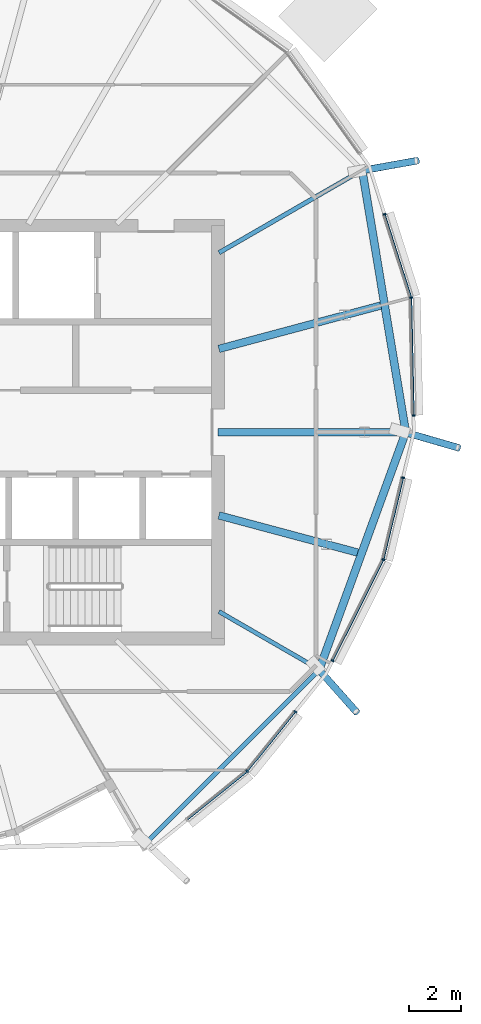
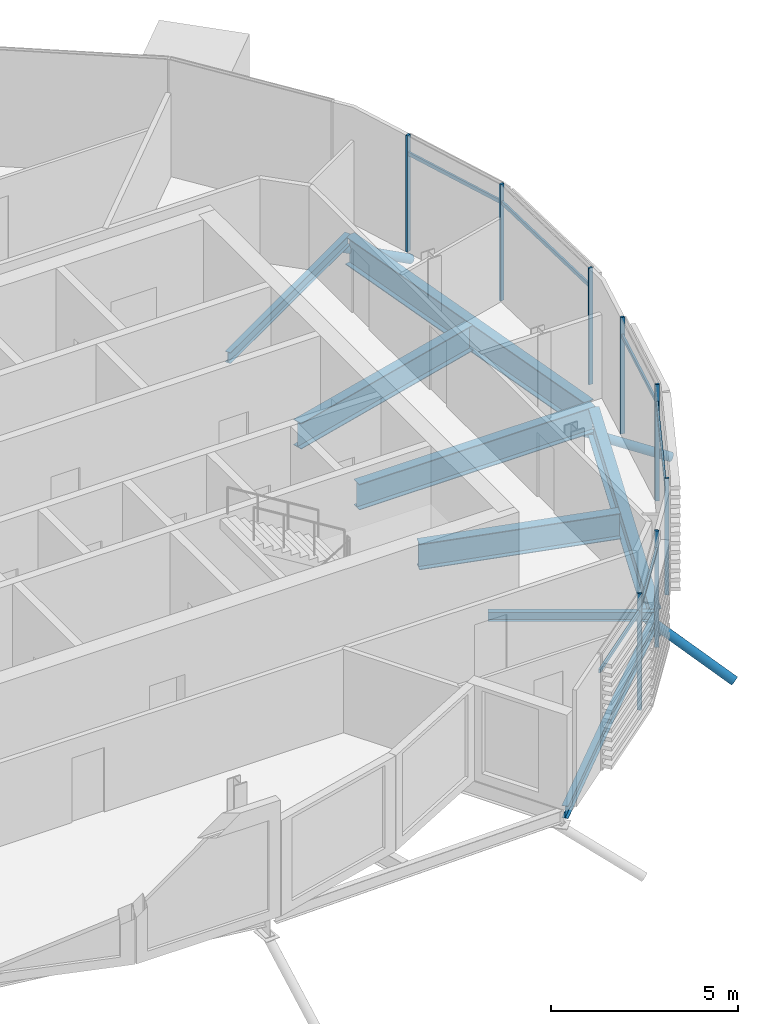
# One storey, part 12 of 35: 17 members, 8 beams, 1 element without a shape of its own.
"""IFC4 building model written with IfcOpenShell, lengths in metres."""

from ifc_helpers import new_model, si_unit, direction, frame, origin, origin_2d, place, context, subcontext, project, spatial, rectangle, hollow_circle, i_section, extrude, clip, halfspace, material, material_profile, profile_set, type_object, element, aggregate, save


model = new_model("IFC4")

# Units and contexts
model_context = context("Model", 3, precision=1e-05, world=origin(), true_north=direction((0.0, 1.0)))
body_context = subcontext(model_context, "Body", "Model", "MODEL_VIEW")
ifc_project = project(units=[si_unit("LENGTHUNIT", "METRE"), si_unit("AREAUNIT", "SQUARE_METRE"), si_unit("VOLUMEUNIT", "CUBIC_METRE"), si_unit("PLANEANGLEUNIT", "RADIAN"), si_unit("MASSUNIT", "GRAM", prefix="KILO")], contexts=[model_context])

# Site, building, storey
site_placement = place(None, origin())
site = spatial("IfcSite", under=ifc_project, at=site_placement, CompositionType="ELEMENT")
building_placement = place(site_placement, origin())
building = spatial("IfcBuilding", under=site, at=building_placement, Name="Rimbun Link Towers", CompositionType="ELEMENT")
storey_placement = place(building_placement, frame((0.0, 0.0, 225.699951171875)))
storey = spatial("IfcBuildingStorey", under=building, at=storey_placement, Name="L55", CompositionType="ELEMENT", Elevation=225.699951171875)

# Curtain wall, members
ifc_material_1 = material(Name="Aluminium 6063-T6 and low-iron glass", Category="aluminium")
curtain_wall_type = type_object("IfcCurtainWallType", Name="CW1-Z4 unitised vision wall (zone 4)", PredefinedType="NOTDEFINED", material=ifc_material_1)
curtain_wall_placement = place(storey_placement, origin())
curtain_wall = element("IfcCurtainWall", 1, at=curtain_wall_placement, inside=storey, type_object=curtain_wall_type, Name="CW1 L55 T2", PredefinedType="NOTDEFINED")
ifc_material_2 = material(Name="Aluminium 6063-T6", Category="aluminium")
ifc_material_profile_1 = material_profile(ifc_material_2, rectangle(XDim=0.1201171875, YDim=0.06005859375, at=origin_2d()), Name="MULLION 60X120")
ifc_profile_set_1 = profile_set([ifc_material_profile_1], Name="Aluminium 6063-T6")
member_type_1 = type_object("IfcMemberType", Name="CW1 mullion 60X120", PredefinedType="MULLION", material=ifc_profile_set_1)
member_1_placement = place(storey_placement, frame((44.88818359375, -13.13818359375, 0.0), z_axis=(0.0, 0.0, 1.0), x_axis=(0.707106781187, -0.707106781187, 0.0)))
member_1 = element("IfcMember", 2, at=member_1_placement, type_object=member_type_1, Name="CW1 mullion", PredefinedType="MULLION", context=body_context, shape_type="SweptSolid", body=[
    extrude(rectangle(XDim=0.1201171875, YDim=0.06005859375, at=origin_2d()), origin(), (0.0, 0.0, 1.0), 3.800048828125),
])
member_2_placement = place(storey_placement, frame((46.750244140625, -10.83837890625, 0.0), z_axis=(0.0, 0.0, 1.0), x_axis=(0.777275581063, -0.629160290454, 0.0)))
member_2 = element("IfcMember", 3, at=member_2_placement, type_object=member_type_1, Name="CW1 mullion", PredefinedType="MULLION", context=body_context, shape_type="SweptSolid", body=[
    extrude(rectangle(XDim=0.1201171875, YDim=0.06005859375, at=origin_2d()), origin(), (0.0, 0.0, 1.0), 3.800048828125),
])
member_3_placement = place(storey_placement, frame((50.1669921875, -4.940185546875, 0.0), z_axis=(0.0, 0.0, 1.0), x_axis=(0.939348465914, -0.342964224935, 0.0)))
member_3 = element("IfcMember", 4, at=member_3_placement, type_object=member_type_1, Name="CW1 mullion", PredefinedType="MULLION", context=body_context, shape_type="SweptSolid", body=[
    extrude(rectangle(XDim=0.1201171875, YDim=0.06005859375, at=origin_2d()), origin(), (0.0, 0.0, 1.0), 3.800048828125),
])
member_4_placement = place(storey_placement, frame((48.199462890625, -8.859130859375, 0.0), z_axis=(0.0, 0.0, 1.0), x_axis=(0.893646631938, -0.448771319523, 0.0)))
member_4 = element("IfcMember", 5, at=member_4_placement, type_object=member_type_1, Name="CW1 mullion", PredefinedType="MULLION", context=body_context, shape_type="SweptSolid", body=[
    extrude(rectangle(XDim=0.1201171875, YDim=0.06005859375, at=origin_2d()), origin(), (0.0, 0.0, 1.0), 3.800048828125),
])
member_5_placement = place(storey_placement, frame((50.927001953125, -1.7646484375, 0.0), z_axis=(0.0, 0.0, 1.0), x_axis=(0.972572183777, -0.232601262555, 0.0)))
member_5 = element("IfcMember", 6, at=member_5_placement, type_object=member_type_1, Name="CW1 mullion", PredefinedType="MULLION", context=body_context, shape_type="SweptSolid", body=[
    extrude(rectangle(XDim=0.1201171875, YDim=0.06005859375, at=origin_2d()), origin(), (0.0, 0.0, 1.0), 3.800048828125),
])
member_6_placement = place(storey_placement, frame((51.23681640625, 5.21533203125, 0.0), z_axis=(0.0, 0.0, 1.0), x_axis=(0.986503254432, 0.163741653209, 0.0)))
member_6 = element("IfcMember", 7, at=member_6_placement, type_object=member_type_1, Name="CW1 mullion", PredefinedType="MULLION", context=body_context, shape_type="SweptSolid", body=[
    extrude(rectangle(XDim=0.1201171875, YDim=0.06005859375, at=origin_2d()), origin(), (0.0, 0.0, 1.0), 3.800048828125),
])
member_7_placement = place(storey_placement, frame((51.33349609375, 0.651123046875, 0.0), z_axis=(0.0, 0.0, 1.0), x_axis=(0.999778028585, 0.021068781637, 0.0)))
member_7 = element("IfcMember", 8, at=member_7_placement, type_object=member_type_1, Name="CW1 mullion", PredefinedType="MULLION", context=body_context, shape_type="SweptSolid", body=[
    extrude(rectangle(XDim=0.1201171875, YDim=0.06005859375, at=origin_2d()), origin(), (0.0, 0.0, 1.0), 3.800048828125),
])
member_8_placement = place(storey_placement, frame((50.210693359375, 8.444091796875, 0.0), z_axis=(0.0, 0.0, 1.0), x_axis=(0.952973824415, 0.303052619159, 0.0)))
member_8 = element("IfcMember", 9, at=member_8_placement, type_object=member_type_1, Name="CW1 mullion", PredefinedType="MULLION", context=body_context, shape_type="SweptSolid", body=[
    extrude(rectangle(XDim=0.1201171875, YDim=0.06005859375, at=origin_2d()), origin(), (0.0, 0.0, 1.0), 3.800048828125),
])
ifc_material_3 = material(Name="Aluminium 6063-T6", Category="aluminium")
ifc_material_profile_2 = material_profile(ifc_material_3, rectangle(XDim=0.06005859375, YDim=0.1201171875, at=origin_2d()), Name="TRANSOM 60X120")
ifc_profile_set_2 = profile_set([ifc_material_profile_2], Name="Aluminium 6063-T6")
member_type_2 = type_object("IfcMemberType", Name="CW1 transom 60X120", PredefinedType="USERDEFINED", material=ifc_profile_set_2)
member_9_placement = place(storey_placement, frame((44.85888671875, -13.15966796875, 3.199951171875), z_axis=(-0.777221687749, -0.629226865362, 0.0), x_axis=(0.629226865362, -0.777221687749, 0.0)))
member_9 = element("IfcMember", 10, at=member_9_placement, type_object=member_type_2, Name="CW1 transom", ObjectType="TRANSOM", PredefinedType="USERDEFINED", context=body_context, shape_type="SweptSolid", body=[
    extrude(rectangle(XDim=0.06005859375, YDim=0.1201171875, at=origin_2d()), origin(), (0.0, 0.0, 1.0), 2.94287109375),
])
member_10_placement = place(storey_placement, frame((46.72998046875, -10.8603515625, 3.199951171875), z_axis=(-0.629212794525, -0.777233079074, 0.0), x_axis=(0.777233079074, -0.629212794525, 0.0)))
member_10 = element("IfcMember", 11, at=member_10_placement, type_object=member_type_2, Name="CW1 transom", ObjectType="TRANSOM", PredefinedType="USERDEFINED", context=body_context, shape_type="SweptSolid", body=[
    extrude(rectangle(XDim=0.06005859375, YDim=0.1201171875, at=origin_2d()), origin(), (0.0, 0.0, 1.0), 2.89306640625),
])
member_11_placement = place(storey_placement, frame((50.149169921875, -4.97265625, 3.199951171875), z_axis=(-0.448818625493, -0.893622874265, 0.0), x_axis=(0.893622874265, -0.448818625493, 0.0)))
member_11 = element("IfcMember", 12, at=member_11_placement, type_object=member_type_2, Name="CW1 transom", ObjectType="TRANSOM", PredefinedType="USERDEFINED", context=body_context, shape_type="SweptSolid", body=[
    extrude(rectangle(XDim=0.06005859375, YDim=0.1201171875, at=origin_2d()), origin(), (0.0, 0.0, 1.0), 4.31787109375),
])
member_12_placement = place(storey_placement, frame((50.91796875, -1.793212890625, 3.199951171875), z_axis=(-0.232573213222, -0.972578891654, 0.0), x_axis=(0.972578891654, -0.232573213222, 0.0)))
member_12 = element("IfcMember", 13, at=member_12_placement, type_object=member_type_2, Name="CW1 transom", ObjectType="TRANSOM", PredefinedType="USERDEFINED", context=body_context, shape_type="SweptSolid", body=[
    extrude(rectangle(XDim=0.06005859375, YDim=0.1201171875, at=origin_2d()), origin(), (0.0, 0.0, 1.0), 3.198486328125),
])
member_13_placement = place(storey_placement, frame((51.236328125, 5.1767578125, 3.199951171875), z_axis=(0.021066248279, -0.999778081968, 0.0), x_axis=(0.999778081968, 0.021066248279, 0.0)))
member_13 = element("IfcMember", 14, at=member_13_placement, type_object=member_type_2, Name="CW1 transom", ObjectType="TRANSOM", PredefinedType="USERDEFINED", context=body_context, shape_type="SweptSolid", body=[
    extrude(rectangle(XDim=0.06005859375, YDim=0.1201171875, at=origin_2d()), origin(), (0.0, 0.0, 1.0), 4.49658203125),
])
member_14_placement = place(storey_placement, frame((50.218017578125, 8.414794921875, 3.199951171875), z_axis=(0.303045779397, -0.952975999482, 0.0), x_axis=(0.952975999482, 0.303045779397, 0.0)))
member_14 = element("IfcMember", 15, at=member_14_placement, type_object=member_type_2, Name="CW1 transom", ObjectType="TRANSOM", PredefinedType="USERDEFINED", context=body_context, shape_type="SweptSolid", body=[
    extrude(rectangle(XDim=0.06005859375, YDim=0.1201171875, at=origin_2d()), origin(), (0.0, 0.0, 1.0), 3.319091796875),
])
aggregate(curtain_wall, [member_1, member_2, member_3, member_4, member_5, member_6, member_7, member_8, member_9, member_10, member_11, member_12, member_13, member_14])

# Members
ifc_material_4 = material(Name="Steel S355J2H", Category="steel")
ifc_material_profile_3 = material_profile(ifc_material_4, hollow_circle(Radius=0.136474609375, WallThickness=0.012451171875, at=origin_2d()), Name="CHS 273x12.5")
ifc_profile_set_3 = profile_set([ifc_material_profile_3], Name="Steel S355J2H")
member_type_3 = type_object("IfcMemberType", Name="Floor edge link CHS 273x12.5", PredefinedType="BRACE", material=ifc_profile_set_3)
member_15_placement = place(storey_placement, frame((47.63671875, -9.172119140625, -0.5595703125), z_axis=(0.566853311794, -0.638840544487, -0.520153901868), x_axis=(0.747993300441, 0.663706277276, 0.0)))
element("IfcMember", 16, at=member_15_placement, inside=storey, type_object=member_type_3, Name="Floor edge link T2 L55 19", PredefinedType="BRACE", context=body_context, shape_type="Clipping", body=[
    clip(extrude(hollow_circle(Radius=0.136474609375, WallThickness=0.012451171875, at=origin_2d()), frame((0.0, 0.0, -0.467529296875)), (0.0, 0.0, 1.0), 3.11279296875), halfspace(frame((0.0, 0.0, -0.219482421875), z_axis=(0.0, 0.854072548658, -0.520153901868)), False)),
])
member_16_placement = place(storey_placement, frame((50.980224609375, 0.0, -1.101806640625), z_axis=(0.855101950187, -0.248016154859, -0.455289623992), x_axis=(0.278562357715, 0.960418144802, 0.0)))
element("IfcMember", 17, at=member_16_placement, inside=storey, type_object=member_type_3, Name="Floor edge link T2 L55 21", PredefinedType="BRACE", context=body_context, shape_type="Clipping", body=[
    clip(extrude(hollow_circle(Radius=0.136474609375, WallThickness=0.012451171875, at=origin_2d()), frame((0.0, 0.0, -0.5556640625)), (0.0, 0.0, 1.0), 3.0244140625), halfspace(frame((0.0, 0.0, -0.26171875), z_axis=(0.0, 0.890343393464, -0.455289623992)), False)),
])
member_17_placement = place(storey_placement, frame((49.297607421875, 10.131103515625, -0.611083984375), z_axis=(0.841322177966, 0.150527693637, -0.519151621697), x_axis=(-0.176121253933, 0.984368479744, 0.0)))
element("IfcMember", 18, at=member_17_placement, inside=storey, type_object=member_type_3, Name="Floor edge link T2 L55 23", PredefinedType="BRACE", context=body_context, shape_type="Clipping", body=[
    clip(extrude(hollow_circle(Radius=0.136474609375, WallThickness=0.012451171875, at=origin_2d()), frame((0.0, 0.0, -0.46875)), (0.0, 0.0, 1.0), 3.0703125), halfspace(frame((0.0, 0.0, -0.2197265625), z_axis=(0.0, 0.854682159454, -0.519151621697)), False)),
])

# Beams
ifc_material_5 = material(Name="Steel S355J2", Category="steel")
ifc_material_profile_4 = material_profile(ifc_material_5, i_section(OverallWidth=0.1650390625, OverallDepth=0.303466796875, WebThickness=0.006103515625, FlangeThickness=0.01025390625, at=origin_2d()), Name="UB 305x165x40")
ifc_profile_set_4 = profile_set([ifc_material_profile_4], Name="Steel S355J2")
beam_type_1 = type_object("IfcBeamType", Name="UB 305x165x40", PredefinedType="BEAM", material=ifc_profile_set_4)
beam_1_placement = place(storey_placement, frame((43.7919921875, -6.952392578125, -0.291748046875), z_axis=(0.866032539631, -0.499987640148, 0.0), x_axis=(0.499987640148, 0.866032539631, 0.0)))
element("IfcBeam", 19, at=beam_1_placement, inside=storey, type_object=beam_type_1, Name="Radial beam T2 L55 19", PredefinedType="BEAM", context=body_context, shape_type="SweptSolid", body=[
    extrude(i_section(OverallWidth=0.1650390625, OverallDepth=0.303466796875, WebThickness=0.006103515625, FlangeThickness=0.01025390625, at=origin_2d()), origin(), (0.0, 0.0, 1.0), 4.4892578125),
])
ifc_material_6 = material(Name="Steel S355J2", Category="steel")
ifc_material_profile_5 = material_profile(ifc_material_6, i_section(OverallWidth=0.17138671875, OverallDepth=0.35498046875, WebThickness=0.00732421875, FlangeThickness=0.011474609375, at=origin_2d()), Name="UB 356x171x51")
ifc_profile_set_5 = profile_set([ifc_material_profile_5], Name="Steel S355J2")
beam_type_2 = type_object("IfcBeamType", Name="UB 356x171x51", PredefinedType="BEAM", material=ifc_profile_set_5)
beam_2_placement = place(storey_placement, frame((43.793701171875, 6.95361328125, -0.3173828125), z_axis=(0.866051030823, 0.499955610039, 0.0), x_axis=(-0.499955610039, 0.866051030823, 0.0)))
element("IfcBeam", 20, at=beam_2_placement, inside=storey, type_object=beam_type_2, Name="Radial beam T2 L55 23", PredefinedType="BEAM", context=body_context, shape_type="SweptSolid", body=[
    extrude(i_section(OverallWidth=0.17138671875, OverallDepth=0.35498046875, WebThickness=0.00732421875, FlangeThickness=0.011474609375, at=origin_2d()), origin(), (0.0, 0.0, 1.0), 6.4052734375),
])
ifc_material_7 = material(Name="Steel S355J2", Category="steel")
ifc_material_profile_6 = material_profile(ifc_material_7, i_section(OverallWidth=0.177978515625, OverallDepth=0.406494140625, WebThickness=0.0078125, FlangeThickness=0.0126953125, at=origin_2d()), Name="UB 406x178x60")
ifc_profile_set_6 = profile_set([ifc_material_profile_6], Name="Steel S355J2")
beam_type_3 = type_object("IfcBeamType", Name="UB 406x178x60", PredefinedType="BEAM", material=ifc_profile_set_6)
beam_3_placement = place(storey_placement, frame((41.0244140625, -15.8525390625, -0.34326171875), z_axis=(0.707119870545, 0.707093691586, 0.0), x_axis=(-0.707093691586, 0.707119870545, 0.0)))
element("IfcBeam", 21, at=beam_3_placement, inside=storey, type_object=beam_type_3, Name="Edge beam T2 L55 17-19", PredefinedType="BEAM", context=body_context, shape_type="SweptSolid", body=[
    extrude(i_section(OverallWidth=0.177978515625, OverallDepth=0.406494140625, WebThickness=0.0078125, FlangeThickness=0.0126953125, at=origin_2d()), origin(), (0.0, 0.0, 1.0), 9.325927734375),
])
ifc_material_8 = material(Name="Steel S355J2", Category="steel")
ifc_material_profile_7 = material_profile(ifc_material_8, i_section(OverallWidth=0.29248046875, OverallDepth=0.8408203125, WebThickness=0.0126953125, FlangeThickness=0.021728515625, at=origin_2d()), Name="UB 838x292x194")
ifc_profile_set_7 = profile_set([ifc_material_profile_7], Name="Steel S355J2")
beam_type_4 = type_object("IfcBeamType", Name="UB 838x292x194", PredefinedType="BEAM", material=ifc_profile_set_7)
beam_4_placement = place(storey_placement, frame((43.788818359375, -3.225830078125, -0.560302734375), z_axis=(0.965927107431, -0.25881426377, 0.0), x_axis=(0.25881426377, 0.965927107431, 0.0)))
element("IfcBeam", 22, at=beam_4_placement, inside=storey, type_object=beam_type_4, Name="Radial beam T2 L55 20", PredefinedType="BEAM", context=body_context, shape_type="SweptSolid", body=[
    extrude(i_section(OverallWidth=0.29248046875, OverallDepth=0.8408203125, WebThickness=0.0126953125, FlangeThickness=0.021728515625, at=origin_2d()), origin(), (0.0, 0.0, 1.0), 5.5673828125),
])
beam_5_placement = place(storey_placement, frame((43.7509765625, 0.0, -0.560302734375), z_axis=(1.0, 0.0, 0.0), x_axis=(0.0, 1.0, 0.0)))
element("IfcBeam", 23, at=beam_5_placement, inside=storey, type_object=beam_type_4, Name="Radial beam T2 L55 21", PredefinedType="BEAM", context=body_context, shape_type="SweptSolid", body=[
    extrude(i_section(OverallWidth=0.29248046875, OverallDepth=0.8408203125, WebThickness=0.0126953125, FlangeThickness=0.021728515625, at=origin_2d()), origin(), (0.0, 0.0, 1.0), 7.279296875),
])
beam_6_placement = place(storey_placement, frame((43.788818359375, 3.225830078125, -0.560302734375), z_axis=(0.965925217521, 0.258821317047, 0.0), x_axis=(-0.258821317047, 0.965925217521, 0.0)))
element("IfcBeam", 24, at=beam_6_placement, inside=storey, type_object=beam_type_4, Name="Radial beam T2 L55 22", PredefinedType="BEAM", context=body_context, shape_type="SweptSolid", body=[
    extrude(i_section(OverallWidth=0.29248046875, OverallDepth=0.8408203125, WebThickness=0.0126953125, FlangeThickness=0.021728515625, at=origin_2d()), origin(), (0.0, 0.0, 1.0), 6.49072265625),
])
ifc_material_9 = material(Name="Steel S355J2", Category="steel")
ifc_material_profile_8 = material_profile(ifc_material_9, i_section(OverallWidth=0.305419921875, OverallDepth=0.91845703125, WebThickness=0.017333984375, FlangeThickness=0.02783203125, at=origin_2d()), Name="UB 914x305x253")
ifc_profile_set_8 = profile_set([ifc_material_profile_8], Name="Steel S355J2")
beam_type_5 = type_object("IfcBeamType", Name="UB 914x305x253", PredefinedType="BEAM", material=ifc_profile_set_8)
beam_7_placement = place(storey_placement, frame((47.708984375, -9.117431640625, -0.59912109375), z_axis=(0.342268655535, 0.939602132521, 0.0), x_axis=(-0.939602132521, 0.342268655535, 0.0)))
element("IfcBeam", 25, at=beam_7_placement, inside=storey, type_object=beam_type_5, Name="Edge beam T2 L55 19-21", PredefinedType="BEAM", context=body_context, shape_type="SweptSolid", body=[
    extrude(i_section(OverallWidth=0.305419921875, OverallDepth=0.91845703125, WebThickness=0.017333984375, FlangeThickness=0.02783203125, at=origin_2d()), origin(), (0.0, 0.0, 1.0), 9.546875),
])
beam_8_placement = place(storey_placement, frame((51.005859375, 0.147216796875, -0.59912109375), z_axis=(-0.16408394908, 0.986446378499, 0.0), x_axis=(-0.986446378499, -0.16408394908, 0.0)))
element("IfcBeam", 26, at=beam_8_placement, inside=storey, type_object=beam_type_5, Name="Edge beam T2 L55 21-23", PredefinedType="BEAM", context=body_context, shape_type="SweptSolid", body=[
    extrude(i_section(OverallWidth=0.305419921875, OverallDepth=0.91845703125, WebThickness=0.017333984375, FlangeThickness=0.02783203125, at=origin_2d()), origin(), (0.0, 0.0, 1.0), 10.0537109375),
])

save(model, "model.ifc")
